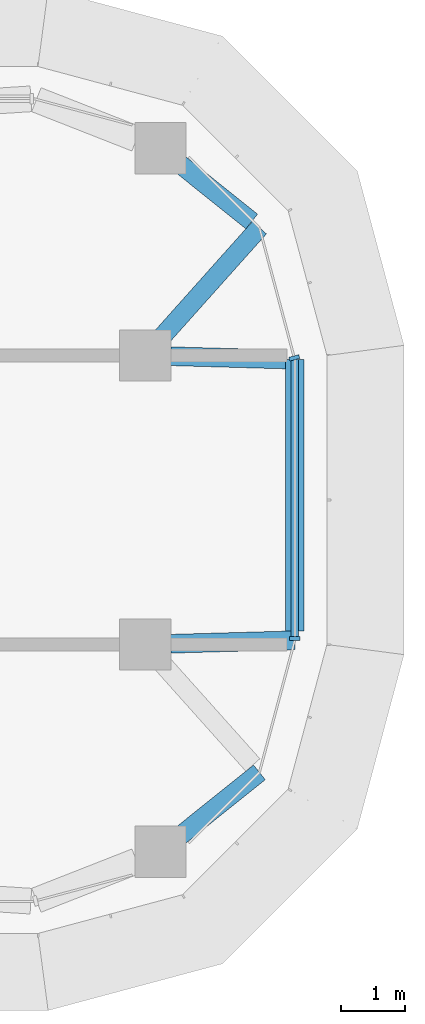
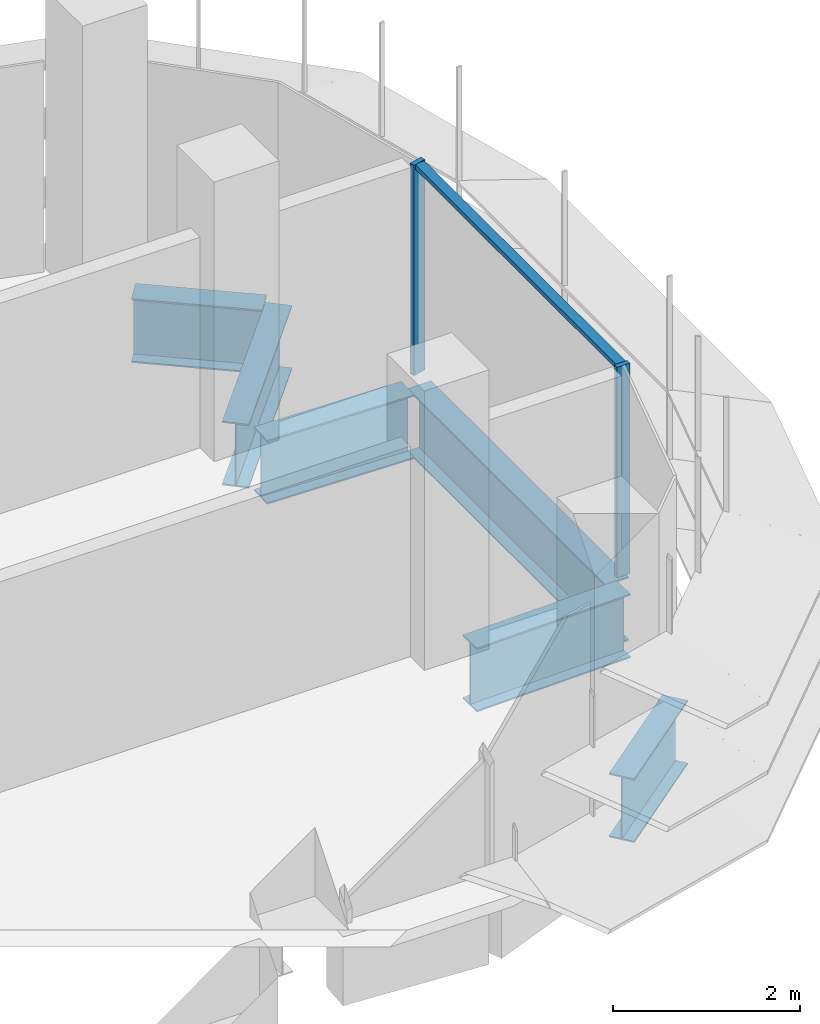
# One storey, part 10 of 19: 6 beams, 3 members, 2 elements without a shape of their own.
"""IFC4 building model written with IfcOpenShell, lengths in metres."""

from ifc_helpers import new_model, si_unit, direction, frame, origin, origin_2d, place, context, subcontext, project, spatial, polyline, i_section, outline, extrude, source, transform, mapped, material, material_profile, profile_set, type_object, element, aggregate, save


model = new_model("IFC4")

# Units and contexts
model_context = context("Model", 3, precision=1e-05, world=origin(), true_north=direction((0.0, 1.0)))
body_context = subcontext(model_context, "Body", "Model", "MODEL_VIEW")
ifc_project = project(units=[si_unit("LENGTHUNIT", "METRE"), si_unit("AREAUNIT", "SQUARE_METRE"), si_unit("VOLUMEUNIT", "CUBIC_METRE"), si_unit("PLANEANGLEUNIT", "RADIAN"), si_unit("MASSUNIT", "GRAM", prefix="KILO")], contexts=[model_context])

# Site, building, storey
site_placement = place(None, origin())
site = spatial("IfcSite", under=ifc_project, at=site_placement, CompositionType="ELEMENT")
building_placement = place(site_placement, origin())
building = spatial("IfcBuilding", under=site, at=building_placement, Name="Zarbagh Exchange Tower", CompositionType="ELEMENT")
storey_placement = place(building_placement, frame((0.0, 0.0, 182.800048828125)))
storey = spatial("IfcBuildingStorey", under=building, at=storey_placement, Name="L44", CompositionType="ELEMENT", Elevation=182.800048828125)

# Beams
ifc_material_1 = material(Name="Steel ASTM A992 Gr 50", Category="steel")
ifc_material_profile = material_profile(ifc_material_1, i_section(OverallWidth=0.2919921875, OverallDepth=0.835693359375, WebThickness=0.013916015625, FlangeThickness=0.018798828125, at=origin_2d()), Name="W33X118")
ifc_profile_set = profile_set([ifc_material_profile], Name="Steel ASTM A992 Gr 50")
beam_type = type_object("IfcBeamType", Name="Floor girder W33X118", PredefinedType="BEAM", material=ifc_profile_set)
beam_1_placement = place(storey_placement, frame((29.22021484375, 5.22509765625, -0.56787109375), z_axis=(0.780533236132, -0.625114283387, 0.0), x_axis=(0.625114283387, 0.780533236132, 0.0)))
element("IfcBeam", 1, at=beam_1_placement, inside=storey, type_object=beam_type, Name="Steel girder", PredefinedType="BEAM", context=body_context, shape_type="SweptSolid", body=[
    extrude(i_section(OverallWidth=0.2919921875, OverallDepth=0.835693359375, WebThickness=0.013916015625, FlangeThickness=0.018798828125, at=origin_2d()), origin(), (0.0, 0.0, 1.0), 1.420166015625),
])
beam_2_placement = place(storey_placement, frame((30.44873046875, 4.2412109375, -0.56787109375), z_axis=(-0.666191013206, -0.745781156857, 0.0), x_axis=(0.745781156857, -0.666191013206, 0.0)))
element("IfcBeam", 2, at=beam_2_placement, inside=storey, type_object=beam_type, Name="Steel girder", PredefinedType="BEAM", context=body_context, shape_type="SweptSolid", body=[
    extrude(i_section(OverallWidth=0.2919921875, OverallDepth=0.835693359375, WebThickness=0.013916015625, FlangeThickness=0.018798828125, at=origin_2d()), origin(), (0.0, 0.0, 1.0), 2.27001953125),
])
beam_3_placement = place(storey_placement, frame((29.06982421875, 2.23876953125, -0.56787109375), z_axis=(0.999600942558, -0.028248108547, 0.0), x_axis=(0.028248108547, 0.999600942558, 0.0)))
element("IfcBeam", 3, at=beam_3_placement, inside=storey, type_object=beam_type, Name="Steel girder", PredefinedType="BEAM", context=body_context, shape_type="SweptSolid", body=[
    extrude(i_section(OverallWidth=0.2919921875, OverallDepth=0.835693359375, WebThickness=0.013916015625, FlangeThickness=0.018798828125, at=origin_2d()), origin(), (0.0, 0.0, 1.0), 1.7890625),
])
beam_4_placement = place(storey_placement, frame((31.0, 2.18408203125, -0.56787109375), z_axis=(0.0, -1.0, 0.0), x_axis=(1.0, 0.0, 0.0)))
element("IfcBeam", 4, at=beam_4_placement, inside=storey, type_object=beam_type, Name="Steel girder", PredefinedType="BEAM", context=body_context, shape_type="SweptSolid", body=[
    extrude(i_section(OverallWidth=0.2919921875, OverallDepth=0.835693359375, WebThickness=0.013916015625, FlangeThickness=0.018798828125, at=origin_2d()), origin(), (0.0, 0.0, 1.0), 4.226318359375),
])
beam_5_placement = place(storey_placement, frame((31.0, -2.18408203125, -0.56787109375), z_axis=(-0.999598864551, -0.028321546377, 0.0), x_axis=(0.028321546377, -0.999598864551, 0.0)))
element("IfcBeam", 5, at=beam_5_placement, inside=storey, type_object=beam_type, Name="Steel girder", PredefinedType="BEAM", context=body_context, shape_type="SweptSolid", body=[
    extrude(i_section(OverallWidth=0.2919921875, OverallDepth=0.835693359375, WebThickness=0.013916015625, FlangeThickness=0.018798828125, at=origin_2d()), origin(), (0.0, 0.0, 1.0), 1.930908203125),
])
beam_6_placement = place(storey_placement, frame((30.44873046875, -4.2412109375, -0.56787109375), z_axis=(-0.780535770033, -0.625111119482, 0.0), x_axis=(0.625111119482, -0.780535770033, 0.0)))
element("IfcBeam", 6, at=beam_6_placement, inside=storey, type_object=beam_type, Name="Steel girder", PredefinedType="BEAM", context=body_context, shape_type="SweptSolid", body=[
    extrude(i_section(OverallWidth=0.2919921875, OverallDepth=0.835693359375, WebThickness=0.013916015625, FlangeThickness=0.018798828125, at=origin_2d()), origin(), (0.0, 0.0, 1.0), 1.573974609375),
])

# Curtain wall, member
ifc_material_2 = material(Name="Anodised aluminium frame and glazing", Category="aluminium")
curtain_wall_type = type_object("IfcCurtainWallType", Name="CWB Ribbon glazing, upper zones", PredefinedType="NOTDEFINED", material=ifc_material_2)
curtain_wall_1_placement = place(storey_placement, origin())
curtain_wall_1 = element("IfcCurtainWall", 7, at=curtain_wall_1_placement, inside=storey, type_object=curtain_wall_type, Name="CWB12 curtain wall", PredefinedType="NOTDEFINED")
ifc_material_3 = material(Name="Anodised aluminium frame", Category="aluminium")
member_type_1 = type_object("IfcMemberType", Name="MUB Mullion, anodised aluminium frame", PredefinedType="MULLION", material=ifc_material_3)
shared_shape_1 = source(origin(), body_context, "Body", "SweptSolid", [
    extrude(outline(polyline([(0.0, -0.080078125), (0.06005859375, -0.080078125), (0.06005859375, 0.080078125), (0.0, 0.080078125), (0.0, -0.080078125)])), origin(), (0.0, 0.0, 1.0), 2.75),
])
placement = place(storey_placement, origin())
member_1 = element("IfcMember", 8, at=placement, type_object=member_type_1, Name="CWB12 mullion 1.1", PredefinedType="MULLION", context=body_context, shape_type="MappedRepresentation", body=[
    mapped(shared_shape_1, transform((31.0, -2.18408203125, 0.0), x_axis=(0.0, 1.0, 0.0), y_axis=(-1.0, 0.0, 0.0), z_axis=(0.0, 0.0, 1.0))),
])

curtain_wall_2_placement = place(storey_placement, origin())
curtain_wall_2 = element("IfcCurtainWall", 9, at=curtain_wall_2_placement, inside=storey, type_object=curtain_wall_type, Name="CWB13 curtain wall", PredefinedType="NOTDEFINED")
member_2 = element("IfcMember", 10, at=placement, type_object=member_type_1, Name="CWB13 mullion 1.1", PredefinedType="MULLION", context=body_context, shape_type="MappedRepresentation", body=[
    mapped(shared_shape_1, transform((31.0, 2.18408203125, 0.0), x_axis=(-0.258824779902, 0.965924289636, 0.0), y_axis=(-0.965924289636, -0.258824779902, 0.0), z_axis=(0.0, 0.0, 1.0))),
])
aggregate(curtain_wall_2, [member_2])

# Member
member_type_2 = type_object("IfcMemberType", Name="TRB Transom, anodised aluminium frame", PredefinedType="USERDEFINED", material=ifc_material_3)
shared_shape_2 = source(origin(), body_context, "Body", "SweptSolid", [
    extrude(outline(polyline([(-0.06005859375, -0.06005859375), (0.0, -0.06005859375), (0.0, 0.06005859375), (-0.06005859375, 0.06005859375), (-0.06005859375, -0.06005859375)])), origin(), (0.0, 0.0, 1.0), 4.308349609375),
])
member_3 = element("IfcMember", 11, at=placement, type_object=member_type_2, Name="CWB12 transom 1.1", ObjectType="TRANSOM", PredefinedType="USERDEFINED", context=body_context, shape_type="MappedRepresentation", body=[
    mapped(shared_shape_2, transform((31.0, -2.124267578125, 2.75), x_axis=(0.0, 0.0, 1.0), y_axis=(1.0, 0.0, 0.0), z_axis=(0.0, 1.0, 0.0))),
])

aggregate(curtain_wall_1, [member_1, member_3])

save(model, "model.ifc")
